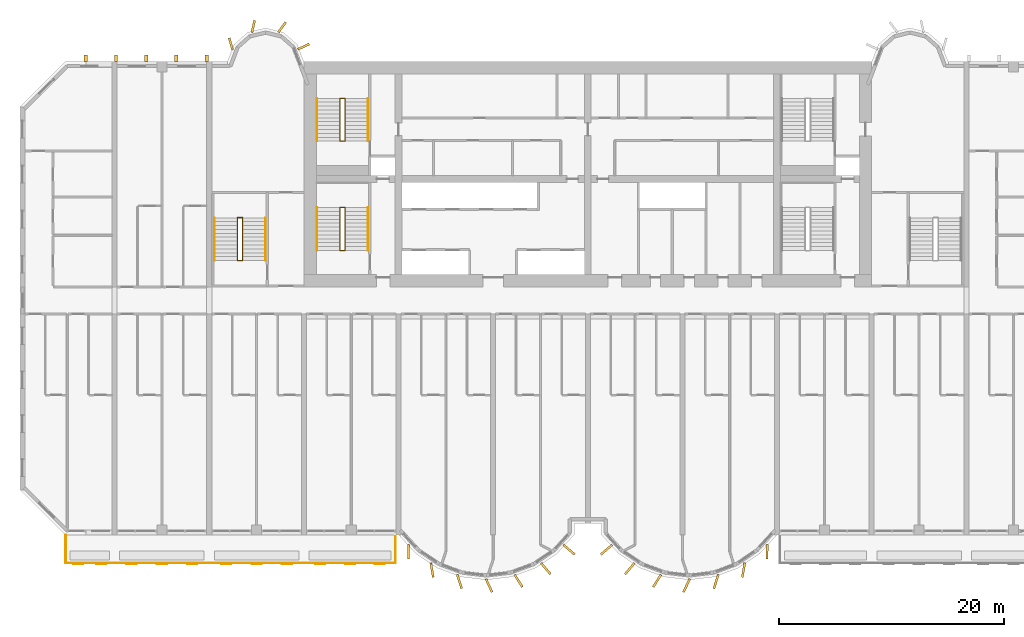
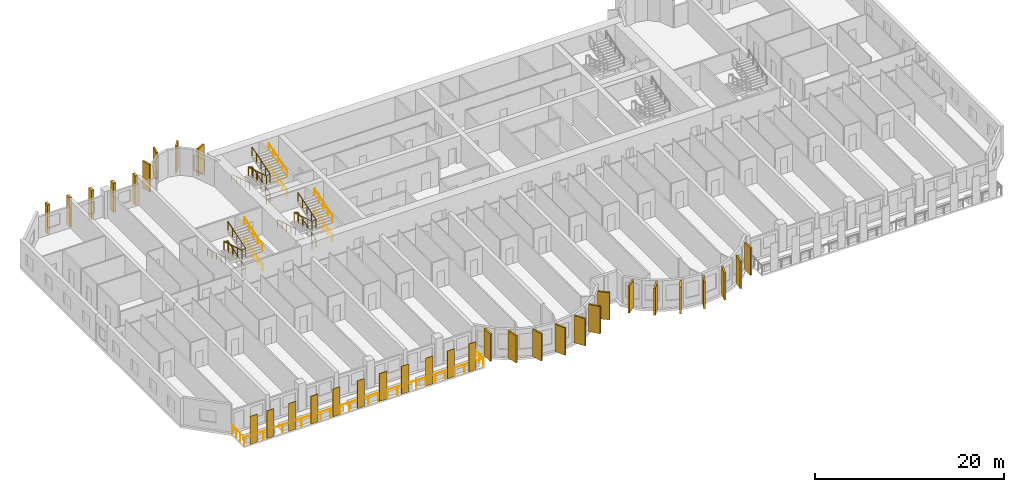
# One storey, part 13 of 15: 34 coverings, 13 railings.
"""IFC4 building model written with IfcOpenShell, lengths in metres."""

from ifc_helpers import new_model, si_unit, direction, frame, origin, origin_2d, place, context, subcontext, project, spatial, rectangle, circle, extrude, source, transform, mapped, material, layer, layer_set, material_profile, profile_set, type_object, element, save


model = new_model("IFC4")

# Units and contexts
model_context = context("Model", 3, precision=1e-05, world=origin(), true_north=direction((0.0, 1.0)))
body_context = subcontext(model_context, "Body", "Model", "MODEL_VIEW")
ifc_project = project(units=[si_unit("LENGTHUNIT", "METRE"), si_unit("AREAUNIT", "SQUARE_METRE"), si_unit("VOLUMEUNIT", "CUBIC_METRE"), si_unit("PLANEANGLEUNIT", "RADIAN"), si_unit("MASSUNIT", "GRAM", prefix="KILO")], contexts=[model_context])

# Site, building, storey
site_placement = place(None, origin())
site = spatial("IfcSite", under=ifc_project, at=site_placement, CompositionType="ELEMENT")
building_placement = place(site_placement, origin())
building = spatial("IfcBuilding", under=site, at=building_placement, Name="Vanashikhar Sky Hotel", CompositionType="ELEMENT")
storey_placement = place(building_placement, frame((0.0, 0.0, 35.39990234375)))
storey = spatial("IfcBuildingStorey", under=building, at=storey_placement, Name="L07", CompositionType="ELEMENT", Elevation=35.39990234375)

# Railing
ifc_material_1 = material(Name="Stainless steel 316", Category="steel")
railing_type_1 = type_object("IfcRailingType", Name="Balcony guard 1100", PredefinedType="GUARDRAIL", material=ifc_material_1)
shared_shape_1 = source(origin(), body_context, "Body", "SweptSolid", [
    extrude(circle(Radius=0.02392578125, at=origin_2d()), frame((0.0, 0.0, 1.076171875), z_axis=(0.0, -1.0, 0.0), x_axis=(1.0, 0.0, 0.0)), (0.0, 0.0, 1.0), 2.5),
    extrude(circle(Radius=0.02392578125, at=origin_2d()), frame((0.0, -2.5, 1.076171875), z_axis=(1.0, 0.0, 0.0), x_axis=(0.0, 1.0, 0.0)), (0.0, 0.0, 1.0), 29.280029296875),
    extrude(circle(Radius=0.02392578125, at=origin_2d()), frame((29.280029296875, -2.5, 1.076171875), z_axis=(0.0, 1.0, 0.0), x_axis=(-1.0, 0.0, 0.0)), (0.0, 0.0, 1.0), 2.5),
    extrude(circle(Radius=0.02099609375, at=origin_2d()), origin(), (0.0, 0.0, 1.0), 1.052001953125),
    extrude(circle(Radius=0.02099609375, at=origin_2d()), frame((0.0, -0.833251953125, 0.0)), (0.0, 0.0, 1.0), 1.052001953125),
    extrude(circle(Radius=0.02099609375, at=origin_2d()), frame((0.0, -1.666748046875, 0.0)), (0.0, 0.0, 1.0), 1.052001953125),
    extrude(circle(Radius=0.02099609375, at=origin_2d()), frame((0.0, -2.5, 0.0)), (0.0, 0.0, 1.0), 1.052001953125),
    extrude(circle(Radius=0.02099609375, at=origin_2d()), frame((1.171142578125, -2.5, 0.0)), (0.0, 0.0, 1.0), 1.052001953125),
    extrude(circle(Radius=0.02099609375, at=origin_2d()), frame((2.34228515625, -2.5, 0.0)), (0.0, 0.0, 1.0), 1.052001953125),
    extrude(circle(Radius=0.02099609375, at=origin_2d()), frame((3.513671875, -2.5, 0.0)), (0.0, 0.0, 1.0), 1.052001953125),
    extrude(circle(Radius=0.02099609375, at=origin_2d()), frame((4.684814453125, -2.5, 0.0)), (0.0, 0.0, 1.0), 1.052001953125),
    extrude(circle(Radius=0.02099609375, at=origin_2d()), frame((5.85595703125, -2.5, 0.0)), (0.0, 0.0, 1.0), 1.052001953125),
    extrude(circle(Radius=0.02099609375, at=origin_2d()), frame((7.027099609375, -2.5, 0.0)), (0.0, 0.0, 1.0), 1.052001953125),
    extrude(circle(Radius=0.02099609375, at=origin_2d()), frame((8.198486328125, -2.5, 0.0)), (0.0, 0.0, 1.0), 1.052001953125),
    extrude(circle(Radius=0.02099609375, at=origin_2d()), frame((9.36962890625, -2.5, 0.0)), (0.0, 0.0, 1.0), 1.052001953125),
    extrude(circle(Radius=0.02099609375, at=origin_2d()), frame((10.540771484375, -2.5, 0.0)), (0.0, 0.0, 1.0), 1.052001953125),
    extrude(circle(Radius=0.02099609375, at=origin_2d()), frame((11.7119140625, -2.5, 0.0)), (0.0, 0.0, 1.0), 1.052001953125),
    extrude(circle(Radius=0.02099609375, at=origin_2d()), frame((12.88330078125, -2.5, 0.0)), (0.0, 0.0, 1.0), 1.052001953125),
    extrude(circle(Radius=0.02099609375, at=origin_2d()), frame((14.054443359375, -2.5, 0.0)), (0.0, 0.0, 1.0), 1.052001953125),
    extrude(circle(Radius=0.02099609375, at=origin_2d()), frame((15.2255859375, -2.5, 0.0)), (0.0, 0.0, 1.0), 1.052001953125),
    extrude(circle(Radius=0.02099609375, at=origin_2d()), frame((16.396728515625, -2.5, 0.0)), (0.0, 0.0, 1.0), 1.052001953125),
    extrude(circle(Radius=0.02099609375, at=origin_2d()), frame((17.568115234375, -2.5, 0.0)), (0.0, 0.0, 1.0), 1.052001953125),
    extrude(circle(Radius=0.02099609375, at=origin_2d()), frame((18.7392578125, -2.5, 0.0)), (0.0, 0.0, 1.0), 1.052001953125),
    extrude(circle(Radius=0.02099609375, at=origin_2d()), frame((19.910400390625, -2.5, 0.0)), (0.0, 0.0, 1.0), 1.052001953125),
    extrude(circle(Radius=0.02099609375, at=origin_2d()), frame((21.08154296875, -2.5, 0.0)), (0.0, 0.0, 1.0), 1.052001953125),
    extrude(circle(Radius=0.02099609375, at=origin_2d()), frame((22.2529296875, -2.5, 0.0)), (0.0, 0.0, 1.0), 1.052001953125),
    extrude(circle(Radius=0.02099609375, at=origin_2d()), frame((23.424072265625, -2.5, 0.0)), (0.0, 0.0, 1.0), 1.052001953125),
    extrude(circle(Radius=0.02099609375, at=origin_2d()), frame((24.59521484375, -2.5, 0.0)), (0.0, 0.0, 1.0), 1.052001953125),
    extrude(circle(Radius=0.02099609375, at=origin_2d()), frame((25.766357421875, -2.5, 0.0)), (0.0, 0.0, 1.0), 1.052001953125),
    extrude(circle(Radius=0.02099609375, at=origin_2d()), frame((26.937744140625, -2.5, 0.0)), (0.0, 0.0, 1.0), 1.052001953125),
    extrude(circle(Radius=0.02099609375, at=origin_2d()), frame((28.10888671875, -2.5, 0.0)), (0.0, 0.0, 1.0), 1.052001953125),
    extrude(circle(Radius=0.02099609375, at=origin_2d()), frame((29.280029296875, -2.5, 0.0)), (0.0, 0.0, 1.0), 1.052001953125),
    extrude(circle(Radius=0.02099609375, at=origin_2d()), frame((29.280029296875, -1.666748046875, 0.0)), (0.0, 0.0, 1.0), 1.052001953125),
    extrude(circle(Radius=0.02099609375, at=origin_2d()), frame((29.280029296875, -0.833251953125, 0.0)), (0.0, 0.0, 1.0), 1.052001953125),
    extrude(circle(Radius=0.02099609375, at=origin_2d()), frame((29.280029296875, 0.0, 0.0)), (0.0, 0.0, 1.0), 1.052001953125),
])
railing_1_placement = place(storey_placement, frame((4.06005859375, 0.0, -0.0498046875)))
element("IfcRailing", 1, at=railing_1_placement, inside=storey, type_object=railing_type_1, Name="Balcony guard", PredefinedType="GUARDRAIL", context=body_context, shape_type="MappedRepresentation", body=[
    mapped(shared_shape_1, transform((0.0, 0.0, 0.0), scale=1.0)),
])

# Coverings
ifc_material_2 = material(Name="Terracotta", Category="masonry")
ifc_layer = layer(ifc_material_2, 0.06005859375)
ifc_layer_set = layer_set([ifc_layer], Name="Terracotta baguette screen")
covering_type_1 = type_object("IfcCoveringType", Name="Terracotta baguette screen", PredefinedType="CLADDING", material=ifc_layer_set)
shared_shape_2 = source(origin(), body_context, "Body", "SweptSolid", [
    extrude(rectangle(XDim=0.89990234375, YDim=0.06005859375, at=origin_2d()), origin(), (0.0, 0.0, 1.0), 3.60009765625),
])
for number, where, z_axis, x_axis, name in (
    (2, (5.175048828125, -2.570068359375, -0.050048828125), (0.0, 0.0, 1.0), (1.0, 0.0, 0.0), "Terracotta screen"),
    (3, (7.22509765625, -2.570068359375, -0.050048828125), (0.0, 0.0, 1.0), (1.0, 0.0, 0.0), "Terracotta screen"),
    (4, (9.89990234375, -2.570068359375, -0.050048828125), (0.0, 0.0, 1.0), (1.0, 0.0, 0.0), "Terracotta screen"),
    (5, (12.60009765625, -2.570068359375, -0.050048828125), (0.0, 0.0, 1.0), (1.0, 0.0, 0.0), "Terracotta screen"),
    (6, (15.300048828125, -2.570068359375, -0.050048828125), (0.0, 0.0, 1.0), (1.0, 0.0, 0.0), "Terracotta screen"),
    (7, (18.300048828125, -2.570068359375, -0.050048828125), (0.0, 0.0, 1.0), (1.0, 0.0, 0.0), "Terracotta screen"),
    (8, (21.0, -2.570068359375, -0.050048828125), (0.0, 0.0, 1.0), (1.0, 0.0, 0.0), "Terracotta screen"),
    (9, (23.699951171875, -2.570068359375, -0.050048828125), (0.0, 0.0, 1.0), (1.0, 0.0, 0.0), "Terracotta screen"),
    (10, (26.666748046875, -2.570068359375, -0.050048828125), (0.0, 0.0, 1.0), (1.0, 0.0, 0.0), "Terracotta screen"),
    (11, (29.300048828125, -2.570068359375, -0.050048828125), (0.0, 0.0, 1.0), (1.0, 0.0, 0.0), "Terracotta screen"),
    (12, (31.933349609375, -2.570068359375, -0.050048828125), (0.0, 0.0, 1.0), (1.0, 0.0, 0.0), "Terracotta screen"),
):
    element("IfcCovering", number, at=place(storey_placement, frame(where, z_axis=z_axis, x_axis=x_axis)), inside=storey, type_object=covering_type_1, Name=name, PredefinedType="CLADDING", context=body_context, shape_type="MappedRepresentation", body=[
        mapped(shared_shape_2, transform((0.0, 0.0, 0.0), scale=1.0)),
    ])
ifc_material_3 = material(Name="Concrete M60 dark", Category="concrete")
ifc_material_profile_1 = material_profile(ifc_material_3, rectangle(XDim=1.300048828125, YDim=0.199951171875, at=origin_2d()))
ifc_profile_set_1 = profile_set([ifc_material_profile_1], Name="Fin 1300 x 200")
covering_type_2 = type_object("IfcCoveringType", Name="Fin 1300 x 200", PredefinedType="CLADDING", material=ifc_profile_set_1)
shared_shape_3 = source(origin(), body_context, "Body", "SweptSolid", [
    extrude(rectangle(XDim=1.300048828125, YDim=0.199951171875, at=origin_2d()), origin(), (0.0, 0.0, 1.0), 3.52001953125),
])
for number, where, z_axis, x_axis, name in (
    (13, (34.482421875, -1.507080078125, 0.0), (0.0, 0.0, 1.0), (0.011588726826, -0.999932848451, 0.0), "Fin F1-1"),
    (14, (36.572509765625, -3.1220703125, 0.0), (0.0, 0.0, 1.0), (0.16989991575, -0.985461322746, 0.0), "Fin F1-2"),
    (15, (39.00830078125, -4.14306640625, 0.0), (0.0, 0.0, 1.0), (0.303966551867, -0.952682704444, 0.0), "Fin F1-3"),
    (16, (41.63232421875, -4.49853515625, 0.0), (0.0, 0.0, 1.0), (0.422618261741, -0.906307787037, 0.0), "Fin F1-4"),
    (17, (44.251953125, -4.083984375, 0.0), (0.0, 0.0, 1.0), (0.534411358496, -0.845224526331, 0.0), "Fin F1-5"),
    (18, (46.676025390625, -3.0, 0.0), (0.0, 0.0, 1.0), (0.645697609467, -0.763593214433, 0.0), "Fin F1-6"),
    (19, (48.7412109375, -1.3154296875, 0.0), (0.0, 0.0, 1.0), (0.758543912032, -0.65162192529, 0.0), "Fin F1-7"),
    (20, (52.058837890625, -1.3154296875, 0.0), (0.0, 0.0, 1.0), (-0.758543912032, -0.65162192529, 0.0), "Fin F2-1"),
    (21, (54.123779296875, -3.0, 0.0), (0.0, 0.0, 1.0), (-0.645697609467, -0.763593214433, 0.0), "Fin F2-2"),
    (22, (56.547119140625, -4.083984375, 0.0), (0.0, 0.0, 1.0), (-0.534411358496, -0.845224526331, 0.0), "Fin F2-3"),
    (23, (59.16748046875, -4.49853515625, 0.0), (0.0, 0.0, 1.0), (-0.422618261741, -0.906307787037, 0.0), "Fin F2-4"),
    (24, (61.790771484375, -4.14306640625, 0.0), (0.0, 0.0, 1.0), (-0.303966551867, -0.952682704444, 0.0), "Fin F2-5"),
    (25, (64.2275390625, -3.1220703125, 0.0), (0.0, 0.0, 1.0), (-0.16989991575, -0.985461322746, 0.0), "Fin F2-6"),
    (26, (66.317626953125, -1.507080078125, 0.0), (0.0, 0.0, 1.0), (-0.011588726826, -0.999932848451, 0.0), "Fin F2-7"),
):
    element("IfcCovering", number, at=place(storey_placement, frame(where, z_axis=z_axis, x_axis=x_axis)), inside=storey, type_object=covering_type_2, Name=name, PredefinedType="CLADDING", context=body_context, shape_type="MappedRepresentation", body=[
        mapped(shared_shape_3, transform((0.0, 0.0, 0.0), scale=1.0)),
    ])
ifc_material_profile_2 = material_profile(ifc_material_3, rectangle(XDim=1.10009765625, YDim=0.199951171875, at=origin_2d()))
ifc_profile_set_2 = profile_set([ifc_material_profile_2], Name="Rear lobe fin 1100 x 200")
covering_type_3 = type_object("IfcCoveringType", Name="Rear lobe fin 1100 x 200", PredefinedType="CLADDING", material=ifc_profile_set_2)
shared_shape_4 = source(origin(), body_context, "Body", "SweptSolid", [
    extrude(rectangle(XDim=1.10009765625, YDim=0.199951171875, at=origin_2d()), origin(), (0.0, 0.0, 1.0), 3.52001953125),
])
for number, where, z_axis, x_axis, name in (
    (27, (18.720703125, 43.580078125, 0.0), (0.0, 0.0, 1.0), (-0.262711264409, 0.964874495234, 0.0), "Fin R1-1"),
    (28, (20.710205078125, 45.1455078125, 0.0), (0.0, 0.0, 1.0), (0.224644935864, 0.974440687159, 0.0), "Fin R1-2"),
    (29, (23.261962890625, 45.06640625, 0.0), (0.0, 0.0, 1.0), (0.602065892195, 0.798446404874, 0.0), "Fin R1-3"),
    (30, (25.169677734375, 43.33447265625, 0.0), (0.0, 0.0, 1.0), (0.908004291068, 0.418960866193, 0.0), "Fin R1-4"),
):
    element("IfcCovering", number, at=place(storey_placement, frame(where, z_axis=z_axis, x_axis=x_axis)), inside=storey, type_object=covering_type_3, Name=name, PredefinedType="CLADDING", context=body_context, shape_type="MappedRepresentation", body=[
        mapped(shared_shape_4, transform((0.0, 0.0, 0.0), scale=1.0)),
    ])
ifc_material_profile_3 = material_profile(ifc_material_3, rectangle(XDim=0.60009765625, YDim=0.300048828125, at=origin_2d()))
ifc_profile_set_3 = profile_set([ifc_material_profile_3], Name="Rear rib 600 x 300")
covering_type_4 = type_object("IfcCoveringType", Name="Rear rib 600 x 300", PredefinedType="CLADDING", material=ifc_profile_set_3)
shared_shape_5 = source(origin(), body_context, "Body", "SweptSolid", [
    extrude(rectangle(XDim=0.60009765625, YDim=0.300048828125, at=origin_2d()), origin(), (0.0, 0.0, 1.0), 3.7998046875),
])
for number, where, z_axis, x_axis, name in (
    (31, (5.840087890625, 42.300048828125, -0.27978515625), (0.0, 0.0, 1.0), (0.0, 1.0, 0.0), "Rear rib"),
    (32, (8.52001953125, 42.300048828125, -0.27978515625), (0.0, 0.0, 1.0), (0.0, 1.0, 0.0), "Rear rib"),
    (33, (11.199951171875, 42.300048828125, -0.27978515625), (0.0, 0.0, 1.0), (0.0, 1.0, 0.0), "Rear rib"),
    (34, (13.8798828125, 42.300048828125, -0.27978515625), (0.0, 0.0, 1.0), (0.0, 1.0, 0.0), "Rear rib"),
    (35, (16.56005859375, 42.300048828125, -0.27978515625), (0.0, 0.0, 1.0), (0.0, 1.0, 0.0), "Rear rib"),
):
    element("IfcCovering", number, at=place(storey_placement, frame(where, z_axis=z_axis, x_axis=x_axis)), inside=storey, type_object=covering_type_4, Name=name, PredefinedType="CLADDING", context=body_context, shape_type="MappedRepresentation", body=[
        mapped(shared_shape_5, transform((0.0, 0.0, 0.0), scale=1.0)),
    ])

# Railings
ifc_material_4 = material(Name="Steel S355", Category="steel")
railing_type_2 = type_object("IfcRailingType", Name="Stair handrail 900", PredefinedType="HANDRAIL", material=ifc_material_4)
shared_shape_6 = source(origin(), body_context, "Body", "SweptSolid", [
    extrude(circle(Radius=0.02392578125, at=origin_2d()), frame((0.0, 0.0, 0.8759765625), z_axis=(0.0, 0.95635109408, 0.292220096591), x_axis=(-1.0, 0.0, 0.0)), (0.0, 0.0, 1.0), 3.973388671875),
    extrude(circle(Radius=0.02099609375, at=origin_2d()), origin(), (0.0, 0.0, 1.0), 0.851806640625),
    extrude(circle(Radius=0.02099609375, at=origin_2d()), frame((0.0, 0.949951171875, 0.290283203125)), (0.0, 0.0, 1.0), 0.851806640625),
    extrude(circle(Radius=0.02099609375, at=origin_2d()), frame((0.0, 1.89990234375, 0.58056640625)), (0.0, 0.0, 1.0), 0.851806640625),
    extrude(circle(Radius=0.02099609375, at=origin_2d()), frame((0.0, 2.85009765625, 0.870849609375)), (0.0, 0.0, 1.0), 0.851806640625),
    extrude(circle(Radius=0.02099609375, at=origin_2d()), frame((0.0, 3.800048828125, 1.1611328125)), (0.0, 0.0, 1.0), 0.851806640625),
])
for number, where, name in (
    (36, (30.89990234375, 25.25, 0.105712890625), "Exit stair 1 handrail"),
    (37, (30.89990234375, 25.25, 2.638916015625), "Exit stair 1 handrail"),
    (38, (30.89990234375, 34.949951171875, 0.105712890625), "Exit stair 5 handrail"),
    (39, (30.89990234375, 34.949951171875, 2.638916015625), "Exit stair 5 handrail"),
):
    element("IfcRailing", number, at=place(storey_placement, frame(where)), inside=storey, type_object=railing_type_2, Name=name, PredefinedType="HANDRAIL", context=body_context, shape_type="MappedRepresentation", body=[
        mapped(shared_shape_6, transform((0.0, 0.0, 0.0), scale=1.0)),
    ])
shared_shape_7 = source(origin(), body_context, "Body", "SweptSolid", [
    extrude(circle(Radius=0.02392578125, at=origin_2d()), frame((0.0, 0.0, 0.8759765625), z_axis=(0.0, -0.95635109408, 0.292220096591), x_axis=(1.0, 0.0, 0.0)), (0.0, 0.0, 1.0), 3.973388671875),
    extrude(circle(Radius=0.02099609375, at=origin_2d()), origin(), (0.0, 0.0, 1.0), 0.851806640625),
    extrude(circle(Radius=0.02099609375, at=origin_2d()), frame((0.0, -0.949951171875, 0.290283203125)), (0.0, 0.0, 1.0), 0.851806640625),
    extrude(circle(Radius=0.02099609375, at=origin_2d()), frame((0.0, -1.89990234375, 0.58056640625)), (0.0, 0.0, 1.0), 0.851806640625),
    extrude(circle(Radius=0.02099609375, at=origin_2d()), frame((0.0, -2.85009765625, 0.870849609375)), (0.0, 0.0, 1.0), 0.851806640625),
    extrude(circle(Radius=0.02099609375, at=origin_2d()), frame((0.0, -3.800048828125, 1.1611328125)), (0.0, 0.0, 1.0), 0.851806640625),
])
for number, where, name in (
    (40, (26.35009765625, 29.050048828125, 1.372314453125), "Exit stair 1 handrail"),
    (41, (26.35009765625, 38.75, 1.372314453125), "Exit stair 5 handrail"),
):
    element("IfcRailing", number, at=place(storey_placement, frame(where)), inside=storey, type_object=railing_type_2, Name=name, PredefinedType="HANDRAIL", context=body_context, shape_type="MappedRepresentation", body=[
        mapped(shared_shape_7, transform((0.0, 0.0, 0.0), scale=1.0)),
    ])
railing_type_3 = type_object("IfcRailingType", Name="Stair guard 1100", PredefinedType="GUARDRAIL", material=ifc_material_4)
shared_shape_8 = source(origin(), body_context, "Body", "SweptSolid", [
    extrude(circle(Radius=0.02392578125, at=origin_2d()), frame((0.0, 0.0, 1.076171875), z_axis=(0.973520925263, 0.0, 0.228597917917), x_axis=(0.0, 1.0, 0.0)), (0.0, 0.0, 1.0), 0.46240234375),
    extrude(circle(Radius=0.02392578125, at=origin_2d()), frame((0.4501953125, 0.0, 1.181640625), z_axis=(0.0, 0.95635109408, 0.292220096591), x_axis=(-1.0, 0.0, 0.0)), (0.0, 0.0, 1.0), 3.973388671875),
    extrude(circle(Radius=0.02392578125, at=origin_2d()), frame((0.4501953125, 3.800048828125, 2.3427734375), z_axis=(-0.973638301096, 0.0, 0.228097476179), x_axis=(0.0, -1.0, 0.0)), (0.0, 0.0, 1.0), 0.46240234375),
    extrude(circle(Radius=0.02392578125, at=origin_2d()), frame((0.0, 3.800048828125, 2.4482421875), z_axis=(0.0, -0.95635109408, 0.292220096591), x_axis=(1.0, 0.0, 0.0)), (0.0, 0.0, 1.0), 3.973388671875),
    extrude(circle(Radius=0.02392578125, at=origin_2d()), frame((0.0, 0.0, 3.609375), z_axis=(0.973638301096, 0.0, 0.228097476179), x_axis=(0.0, 1.0, 0.0)), (0.0, 0.0, 1.0), 0.46240234375),
    extrude(circle(Radius=0.02392578125, at=origin_2d()), frame((0.4501953125, 0.0, 3.71484375), z_axis=(0.0, 0.95635109408, 0.292220096591), x_axis=(-1.0, 0.0, 0.0)), (0.0, 0.0, 1.0), 3.973388671875),
    extrude(circle(Radius=0.02099609375, at=origin_2d()), origin(), (0.0, 0.0, 1.0), 1.052001953125),
    extrude(circle(Radius=0.02099609375, at=origin_2d()), frame((0.4501953125, 0.0, 0.105712890625)), (0.0, 0.0, 1.0), 1.052001953125),
    extrude(circle(Radius=0.02099609375, at=origin_2d()), frame((0.4501953125, 0.949951171875, 0.39599609375)), (0.0, 0.0, 1.0), 1.052001953125),
    extrude(circle(Radius=0.02099609375, at=origin_2d()), frame((0.4501953125, 1.89990234375, 0.686279296875)), (0.0, 0.0, 1.0), 1.052001953125),
    extrude(circle(Radius=0.02099609375, at=origin_2d()), frame((0.4501953125, 2.85009765625, 0.9765625)), (0.0, 0.0, 1.0), 1.052001953125),
    extrude(circle(Radius=0.02099609375, at=origin_2d()), frame((0.4501953125, 3.800048828125, 1.266845703125)), (0.0, 0.0, 1.0), 1.052001953125),
    extrude(circle(Radius=0.02099609375, at=origin_2d()), frame((0.0, 3.800048828125, 1.372314453125)), (0.0, 0.0, 1.0), 1.052001953125),
    extrude(circle(Radius=0.02099609375, at=origin_2d()), frame((0.0, 2.85009765625, 1.66259765625)), (0.0, 0.0, 1.0), 1.052001953125),
    extrude(circle(Radius=0.02099609375, at=origin_2d()), frame((0.0, 1.89990234375, 1.952880859375)), (0.0, 0.0, 1.0), 1.052001953125),
    extrude(circle(Radius=0.02099609375, at=origin_2d()), frame((0.0, 0.949951171875, 2.2431640625)), (0.0, 0.0, 1.0), 1.052001953125),
    extrude(circle(Radius=0.02099609375, at=origin_2d()), frame((0.0, 0.0, 2.533447265625)), (0.0, 0.0, 1.0), 1.052001953125),
    extrude(circle(Radius=0.02099609375, at=origin_2d()), frame((0.4501953125, 0.0, 2.638916015625)), (0.0, 0.0, 1.0), 1.052001953125),
    extrude(circle(Radius=0.02099609375, at=origin_2d()), frame((0.4501953125, 0.949951171875, 2.92919921875)), (0.0, 0.0, 1.0), 1.052001953125),
    extrude(circle(Radius=0.02099609375, at=origin_2d()), frame((0.4501953125, 1.89990234375, 3.219482421875)), (0.0, 0.0, 1.0), 1.052001953125),
    extrude(circle(Radius=0.02099609375, at=origin_2d()), frame((0.4501953125, 2.85009765625, 3.509765625)), (0.0, 0.0, 1.0), 1.052001953125),
    extrude(circle(Radius=0.02099609375, at=origin_2d()), frame((0.4501953125, 3.800048828125, 3.800048828125)), (0.0, 0.0, 1.0), 1.052001953125),
])
for number, where, name in (
    (42, (28.39990234375, 25.25, 0.0), "Exit stair 1 guard"),
    (43, (28.39990234375, 34.949951171875, 0.0), "Exit stair 5 guard"),
):
    element("IfcRailing", number, at=place(storey_placement, frame(where)), inside=storey, type_object=railing_type_3, Name=name, PredefinedType="GUARDRAIL", context=body_context, shape_type="MappedRepresentation", body=[
        mapped(shared_shape_8, transform((0.0, 0.0, 0.0), scale=1.0)),
    ])
shared_shape_9 = source(origin(), body_context, "Body", "SweptSolid", [
    extrude(circle(Radius=0.02392578125, at=origin_2d()), frame((0.0, 0.0, 0.8759765625), z_axis=(0.0, 0.956345846891, 0.292237268557), x_axis=(-1.0, 0.0, 0.0)), (0.0, 0.0, 1.0), 3.97314453125),
    extrude(circle(Radius=0.02099609375, at=origin_2d()), origin(), (0.0, 0.0, 1.0), 0.851806640625),
    extrude(circle(Radius=0.02099609375, at=origin_2d()), frame((0.0, 0.949951171875, 0.290283203125)), (0.0, 0.0, 1.0), 0.851806640625),
    extrude(circle(Radius=0.02099609375, at=origin_2d()), frame((0.0, 1.89990234375, 0.58056640625)), (0.0, 0.0, 1.0), 0.851806640625),
    extrude(circle(Radius=0.02099609375, at=origin_2d()), frame((0.0, 2.849853515625, 0.870849609375)), (0.0, 0.0, 1.0), 0.851806640625),
    extrude(circle(Radius=0.02099609375, at=origin_2d()), frame((0.0, 3.7998046875, 1.1611328125)), (0.0, 0.0, 1.0), 0.851806640625),
])
for number, where, name in (
    (44, (21.800048828125, 24.35009765625, 0.105712890625), "Exit stair 3 handrail"),
    (45, (21.800048828125, 24.35009765625, 2.638916015625), "Exit stair 3 handrail"),
):
    element("IfcRailing", number, at=place(storey_placement, frame(where)), inside=storey, type_object=railing_type_2, Name=name, PredefinedType="HANDRAIL", context=body_context, shape_type="MappedRepresentation", body=[
        mapped(shared_shape_9, transform((0.0, 0.0, 0.0), scale=1.0)),
    ])
shared_shape_10 = source(origin(), body_context, "Body", "SweptSolid", [
    extrude(circle(Radius=0.02392578125, at=origin_2d()), frame((0.0, 0.0, 0.8759765625), z_axis=(0.0, -0.956345846891, 0.292237268557), x_axis=(1.0, 0.0, 0.0)), (0.0, 0.0, 1.0), 3.97314453125),
    extrude(circle(Radius=0.02099609375, at=origin_2d()), origin(), (0.0, 0.0, 1.0), 0.851806640625),
    extrude(circle(Radius=0.02099609375, at=origin_2d()), frame((0.0, -0.949951171875, 0.290283203125)), (0.0, 0.0, 1.0), 0.851806640625),
    extrude(circle(Radius=0.02099609375, at=origin_2d()), frame((0.0, -1.89990234375, 0.58056640625)), (0.0, 0.0, 1.0), 0.851806640625),
    extrude(circle(Radius=0.02099609375, at=origin_2d()), frame((0.0, -2.849853515625, 0.870849609375)), (0.0, 0.0, 1.0), 0.851806640625),
    extrude(circle(Radius=0.02099609375, at=origin_2d()), frame((0.0, -3.7998046875, 1.1611328125)), (0.0, 0.0, 1.0), 0.851806640625),
])
railing_2_placement = place(storey_placement, frame((17.25, 28.14990234375, 1.372314453125)))
element("IfcRailing", 46, at=railing_2_placement, inside=storey, type_object=railing_type_2, Name="Exit stair 3 handrail", PredefinedType="HANDRAIL", context=body_context, shape_type="MappedRepresentation", body=[
    mapped(shared_shape_10, transform((0.0, 0.0, 0.0), scale=1.0)),
])
shared_shape_11 = source(origin(), body_context, "Body", "SweptSolid", [
    extrude(circle(Radius=0.02392578125, at=origin_2d()), frame((0.0, 0.0, 1.076171875), z_axis=(0.973493315427, 0.0, 0.228715466945), x_axis=(0.0, 1.0, 0.0)), (0.0, 0.0, 1.0), 0.462158203125),
    extrude(circle(Radius=0.02392578125, at=origin_2d()), frame((0.449951171875, 0.0, 1.181640625), z_axis=(0.0, 0.956345846891, 0.292237268557), x_axis=(-1.0, 0.0, 0.0)), (0.0, 0.0, 1.0), 3.97314453125),
    extrude(circle(Radius=0.02392578125, at=origin_2d()), frame((0.449951171875, 3.7998046875, 2.3427734375), z_axis=(-0.973610808694, 0.0, 0.228214796178), x_axis=(0.0, -1.0, 0.0)), (0.0, 0.0, 1.0), 0.462158203125),
    extrude(circle(Radius=0.02392578125, at=origin_2d()), frame((0.0, 3.7998046875, 2.4482421875), z_axis=(0.0, -0.956345846891, 0.292237268557), x_axis=(1.0, 0.0, 0.0)), (0.0, 0.0, 1.0), 3.97314453125),
    extrude(circle(Radius=0.02392578125, at=origin_2d()), frame((0.0, 0.0, 3.609375), z_axis=(0.973610808694, 0.0, 0.228214796178), x_axis=(0.0, 1.0, 0.0)), (0.0, 0.0, 1.0), 0.462158203125),
    extrude(circle(Radius=0.02392578125, at=origin_2d()), frame((0.449951171875, 0.0, 3.71484375), z_axis=(0.0, 0.956345846891, 0.292237268557), x_axis=(-1.0, 0.0, 0.0)), (0.0, 0.0, 1.0), 3.97314453125),
    extrude(circle(Radius=0.02099609375, at=origin_2d()), origin(), (0.0, 0.0, 1.0), 1.052001953125),
    extrude(circle(Radius=0.02099609375, at=origin_2d()), frame((0.449951171875, 0.0, 0.105712890625)), (0.0, 0.0, 1.0), 1.052001953125),
    extrude(circle(Radius=0.02099609375, at=origin_2d()), frame((0.449951171875, 0.949951171875, 0.39599609375)), (0.0, 0.0, 1.0), 1.052001953125),
    extrude(circle(Radius=0.02099609375, at=origin_2d()), frame((0.449951171875, 1.89990234375, 0.686279296875)), (0.0, 0.0, 1.0), 1.052001953125),
    extrude(circle(Radius=0.02099609375, at=origin_2d()), frame((0.449951171875, 2.849853515625, 0.9765625)), (0.0, 0.0, 1.0), 1.052001953125),
    extrude(circle(Radius=0.02099609375, at=origin_2d()), frame((0.449951171875, 3.7998046875, 1.266845703125)), (0.0, 0.0, 1.0), 1.052001953125),
    extrude(circle(Radius=0.02099609375, at=origin_2d()), frame((0.0, 3.7998046875, 1.372314453125)), (0.0, 0.0, 1.0), 1.052001953125),
    extrude(circle(Radius=0.02099609375, at=origin_2d()), frame((0.0, 2.849853515625, 1.66259765625)), (0.0, 0.0, 1.0), 1.052001953125),
    extrude(circle(Radius=0.02099609375, at=origin_2d()), frame((0.0, 1.89990234375, 1.952880859375)), (0.0, 0.0, 1.0), 1.052001953125),
    extrude(circle(Radius=0.02099609375, at=origin_2d()), frame((0.0, 0.949951171875, 2.2431640625)), (0.0, 0.0, 1.0), 1.052001953125),
    extrude(circle(Radius=0.02099609375, at=origin_2d()), frame((0.0, 0.0, 2.533447265625)), (0.0, 0.0, 1.0), 1.052001953125),
    extrude(circle(Radius=0.02099609375, at=origin_2d()), frame((0.449951171875, 0.0, 2.638916015625)), (0.0, 0.0, 1.0), 1.052001953125),
    extrude(circle(Radius=0.02099609375, at=origin_2d()), frame((0.449951171875, 0.949951171875, 2.92919921875)), (0.0, 0.0, 1.0), 1.052001953125),
    extrude(circle(Radius=0.02099609375, at=origin_2d()), frame((0.449951171875, 1.89990234375, 3.219482421875)), (0.0, 0.0, 1.0), 1.052001953125),
    extrude(circle(Radius=0.02099609375, at=origin_2d()), frame((0.449951171875, 2.849853515625, 3.509765625)), (0.0, 0.0, 1.0), 1.052001953125),
    extrude(circle(Radius=0.02099609375, at=origin_2d()), frame((0.449951171875, 3.7998046875, 3.800048828125)), (0.0, 0.0, 1.0), 1.052001953125),
])
railing_3_placement = place(storey_placement, frame((19.300048828125, 24.35009765625, 0.0)))
element("IfcRailing", 47, at=railing_3_placement, inside=storey, type_object=railing_type_3, Name="Exit stair 3 guard", PredefinedType="GUARDRAIL", context=body_context, shape_type="MappedRepresentation", body=[
    mapped(shared_shape_11, transform((0.0, 0.0, 0.0), scale=1.0)),
])

save(model, "model.ifc")
